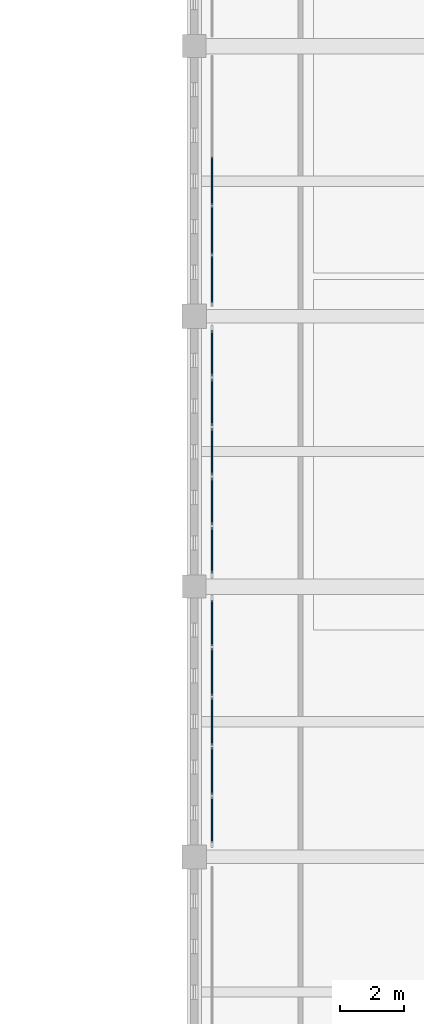
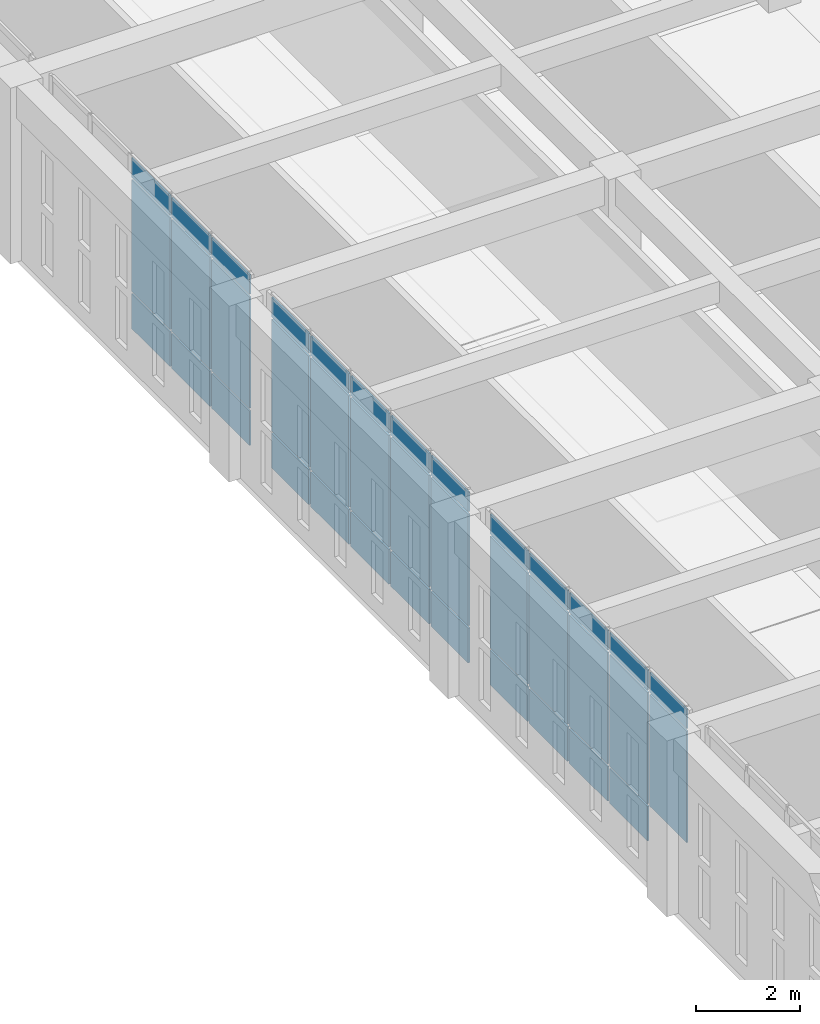
# One storey, part 120 of 192: 38 plates, 3 elements without a shape of their own.
"""IFC4 building model written with IfcOpenShell, lengths in metres."""

from ifc_helpers import new_model, si_unit, direction, frame, origin, origin_2d, place, context, subcontext, project, spatial, rectangle, extrude, material, layer, layer_set, type_object, element, aggregate, save


model = new_model("IFC4")

# Units and contexts
model_context = context("Model", 3, precision=1e-05, world=origin(), true_north=direction((0.0, 1.0)))
body_context = subcontext(model_context, "Body", "Model", "MODEL_VIEW")
ifc_project = project(units=[si_unit("LENGTHUNIT", "METRE"), si_unit("AREAUNIT", "SQUARE_METRE"), si_unit("VOLUMEUNIT", "CUBIC_METRE"), si_unit("PLANEANGLEUNIT", "RADIAN"), si_unit("MASSUNIT", "GRAM", prefix="KILO")], contexts=[model_context])

# Site, building, storey
site_placement = place(None, origin())
site = spatial("IfcSite", under=ifc_project, at=site_placement, CompositionType="ELEMENT")
building_placement = place(site_placement, origin())
building = spatial("IfcBuilding", under=site, at=building_placement, Name="Kveldsbrygga Polytechnic", CompositionType="ELEMENT")
storey_placement = place(building_placement, frame((0.0, 0.0, 5.43994140625)))
storey = spatial("IfcBuildingStorey", under=building, at=storey_placement, Name="L01", CompositionType="ELEMENT", Elevation=5.43994140625)

# Curtain wall, plates
ifc_material_1 = material(Name="Anodised aluminium AW-6060", Category="aluminium")
ifc_layer_1 = layer(ifc_material_1, 0.18994140625)
ifc_layer_set_1 = layer_set([ifc_layer_1], Name="Anodised aluminium AW-6060")
curtain_wall_type_1 = type_object("IfcCurtainWallType", Name="CW-REFC-G", PredefinedType="USERDEFINED", material=ifc_layer_set_1)
curtain_wall_1_placement = place(storey_placement, origin())
curtain_wall_1 = element("IfcCurtainWall", 1, at=curtain_wall_1_placement, inside=storey, type_object=curtain_wall_type_1, Name="Curtain Wall CW-L01-Y-15-05", ObjectType="UNITISED CURTAIN WALL", PredefinedType="USERDEFINED")
ifc_material_2 = material(Name="Insulated triple low-E glass", Category="glass")
ifc_layer_2 = layer(ifc_material_2, 0.035888671875)
ifc_layer_set_2 = layer_set([ifc_layer_2], Name="Insulated triple low-E glass")
plate_type_1 = type_object("IfcPlateType", Name="CW-PAN-VIS36", PredefinedType="CURTAIN_PANEL", material=ifc_layer_set_2)
plate_1_placement = place(storey_placement, frame((126.550048828125, 43.148193359375, 0.93017578125), z_axis=(0.0, 0.0, 1.0), x_axis=(0.0, 1.0, 0.0)))
plate_1 = element("IfcPlate", 2, at=plate_1_placement, type_object=plate_type_1, Name="CW-07 panel 1.2", PredefinedType="CURTAIN_PANEL", context=body_context, shape_type="SweptSolid", body=[
    extrude(rectangle(XDim=1.426513671875, YDim=0.035888671875, at=origin_2d()), origin(), (0.0, 0.0, 1.0), 2.610107421875),
])
plate_2_placement = place(storey_placement, frame((126.550048828125, 43.148193359375, 3.60009765625), z_axis=(0.0, 0.0, 1.0), x_axis=(0.0, 1.0, 0.0)))
plate_2 = element("IfcPlate", 3, at=plate_2_placement, type_object=plate_type_1, Name="CW-07 panel 1.3", PredefinedType="CURTAIN_PANEL", context=body_context, shape_type="SweptSolid", body=[
    extrude(rectangle(XDim=1.426513671875, YDim=0.035888671875, at=origin_2d()), origin(), (0.0, 0.0, 1.0), 0.4599609375),
])
plate_3_placement = place(storey_placement, frame((126.550048828125, 44.66845703125, 0.06005859375), z_axis=(0.0, 0.0, 1.0), x_axis=(0.0, 1.0, 0.0)))
plate_3 = element("IfcPlate", 4, at=plate_3_placement, type_object=plate_type_1, Name="CW-07 panel 2.1", PredefinedType="CURTAIN_PANEL", context=body_context, shape_type="SweptSolid", body=[
    extrude(rectangle(XDim=1.464111328125, YDim=0.035888671875, at=origin_2d()), origin(), (0.0, 0.0, 1.0), 0.81005859375),
])
plate_4_placement = place(storey_placement, frame((126.550048828125, 44.66845703125, 0.93017578125), z_axis=(0.0, 0.0, 1.0), x_axis=(0.0, 1.0, 0.0)))
plate_4 = element("IfcPlate", 5, at=plate_4_placement, type_object=plate_type_1, Name="CW-07 panel 2.2", PredefinedType="CURTAIN_PANEL", context=body_context, shape_type="SweptSolid", body=[
    extrude(rectangle(XDim=1.464111328125, YDim=0.035888671875, at=origin_2d()), origin(), (0.0, 0.0, 1.0), 2.610107421875),
])
plate_5_placement = place(storey_placement, frame((126.550048828125, 44.66845703125, 3.60009765625), z_axis=(0.0, 0.0, 1.0), x_axis=(0.0, 1.0, 0.0)))
plate_5 = element("IfcPlate", 6, at=plate_5_placement, type_object=plate_type_1, Name="CW-07 panel 2.3", PredefinedType="CURTAIN_PANEL", context=body_context, shape_type="SweptSolid", body=[
    extrude(rectangle(XDim=1.464111328125, YDim=0.035888671875, at=origin_2d()), origin(), (0.0, 0.0, 1.0), 0.4599609375),
])
plate_6_placement = place(storey_placement, frame((126.550048828125, 46.20751953125, 0.06005859375), z_axis=(0.0, 0.0, 1.0), x_axis=(0.0, 1.0, 0.0)))
plate_6 = element("IfcPlate", 7, at=plate_6_placement, type_object=plate_type_1, Name="CW-07 panel 3.1", PredefinedType="CURTAIN_PANEL", context=body_context, shape_type="SweptSolid", body=[
    extrude(rectangle(XDim=1.464111328125, YDim=0.035888671875, at=origin_2d()), origin(), (0.0, 0.0, 1.0), 0.81005859375),
])
plate_7_placement = place(storey_placement, frame((126.550048828125, 46.20751953125, 0.93017578125), z_axis=(0.0, 0.0, 1.0), x_axis=(0.0, 1.0, 0.0)))
plate_7 = element("IfcPlate", 8, at=plate_7_placement, type_object=plate_type_1, Name="CW-07 panel 3.2", PredefinedType="CURTAIN_PANEL", context=body_context, shape_type="SweptSolid", body=[
    extrude(rectangle(XDim=1.464111328125, YDim=0.035888671875, at=origin_2d()), origin(), (0.0, 0.0, 1.0), 2.610107421875),
])
plate_8_placement = place(storey_placement, frame((126.550048828125, 46.20751953125, 3.60009765625), z_axis=(0.0, 0.0, 1.0), x_axis=(0.0, 1.0, 0.0)))
plate_8 = element("IfcPlate", 9, at=plate_8_placement, type_object=plate_type_1, Name="CW-07 panel 3.3", PredefinedType="CURTAIN_PANEL", context=body_context, shape_type="SweptSolid", body=[
    extrude(rectangle(XDim=1.464111328125, YDim=0.035888671875, at=origin_2d()), origin(), (0.0, 0.0, 1.0), 0.4599609375),
])
plate_9_placement = place(storey_placement, frame((126.550048828125, 47.74658203125, 0.06005859375), z_axis=(0.0, 0.0, 1.0), x_axis=(0.0, 1.0, 0.0)))
plate_9 = element("IfcPlate", 10, at=plate_9_placement, type_object=plate_type_1, Name="CW-07 panel 4.1", PredefinedType="CURTAIN_PANEL", context=body_context, shape_type="SweptSolid", body=[
    extrude(rectangle(XDim=1.464111328125, YDim=0.035888671875, at=origin_2d()), origin(), (0.0, 0.0, 1.0), 0.81005859375),
])
plate_10_placement = place(storey_placement, frame((126.550048828125, 47.74658203125, 0.93017578125), z_axis=(0.0, 0.0, 1.0), x_axis=(0.0, 1.0, 0.0)))
plate_10 = element("IfcPlate", 11, at=plate_10_placement, type_object=plate_type_1, Name="CW-07 panel 4.2", PredefinedType="CURTAIN_PANEL", context=body_context, shape_type="SweptSolid", body=[
    extrude(rectangle(XDim=1.464111328125, YDim=0.035888671875, at=origin_2d()), origin(), (0.0, 0.0, 1.0), 2.610107421875),
])
plate_11_placement = place(storey_placement, frame((126.550048828125, 47.74658203125, 3.60009765625), z_axis=(0.0, 0.0, 1.0), x_axis=(0.0, 1.0, 0.0)))
plate_11 = element("IfcPlate", 12, at=plate_11_placement, type_object=plate_type_1, Name="CW-07 panel 4.3", PredefinedType="CURTAIN_PANEL", context=body_context, shape_type="SweptSolid", body=[
    extrude(rectangle(XDim=1.464111328125, YDim=0.035888671875, at=origin_2d()), origin(), (0.0, 0.0, 1.0), 0.4599609375),
])
plate_12_placement = place(storey_placement, frame((126.550048828125, 49.266845703125, 0.06005859375), z_axis=(0.0, 0.0, 1.0), x_axis=(0.0, 1.0, 0.0)))
plate_12 = element("IfcPlate", 13, at=plate_12_placement, type_object=plate_type_1, Name="CW-07 panel 5.1", PredefinedType="CURTAIN_PANEL", context=body_context, shape_type="SweptSolid", body=[
    extrude(rectangle(XDim=1.426513671875, YDim=0.035888671875, at=origin_2d()), origin(), (0.0, 0.0, 1.0), 0.81005859375),
])
plate_13_placement = place(storey_placement, frame((126.550048828125, 49.266845703125, 0.93017578125), z_axis=(0.0, 0.0, 1.0), x_axis=(0.0, 1.0, 0.0)))
plate_13 = element("IfcPlate", 14, at=plate_13_placement, type_object=plate_type_1, Name="CW-07 panel 5.2", PredefinedType="CURTAIN_PANEL", context=body_context, shape_type="SweptSolid", body=[
    extrude(rectangle(XDim=1.426513671875, YDim=0.035888671875, at=origin_2d()), origin(), (0.0, 0.0, 1.0), 2.610107421875),
])
plate_14_placement = place(storey_placement, frame((126.550048828125, 49.266845703125, 3.60009765625), z_axis=(0.0, 0.0, 1.0), x_axis=(0.0, 1.0, 0.0)))
plate_14 = element("IfcPlate", 15, at=plate_14_placement, type_object=plate_type_1, Name="CW-07 panel 5.3", PredefinedType="CURTAIN_PANEL", context=body_context, shape_type="SweptSolid", body=[
    extrude(rectangle(XDim=1.426513671875, YDim=0.035888671875, at=origin_2d()), origin(), (0.0, 0.0, 1.0), 0.4599609375),
])
aggregate(curtain_wall_1, [plate_1, plate_2, plate_3, plate_4, plate_5, plate_6, plate_7, plate_8, plate_9, plate_10, plate_11, plate_12, plate_13, plate_14])

ifc_layer_3 = layer(ifc_material_1, 0.179931640625)
ifc_layer_set_3 = layer_set([ifc_layer_3], Name="Anodised aluminium AW-6060")
curtain_wall_type_2 = type_object("IfcCurtainWallType", Name="CW-CONC-A", PredefinedType="USERDEFINED", material=ifc_layer_set_3)
curtain_wall_2_placement = place(storey_placement, origin())
curtain_wall_2 = element("IfcCurtainWall", 16, at=curtain_wall_2_placement, inside=storey, type_object=curtain_wall_type_2, Name="Curtain Wall CW-L01-Y-15-07", ObjectType="UNITISED CURTAIN WALL", PredefinedType="USERDEFINED")
plate_15_placement = place(storey_placement, frame((126.550048828125, 59.944580078125, 0.06005859375), z_axis=(0.0, 0.0, 1.0), x_axis=(0.0, 1.0, 0.0)))
plate_15 = element("IfcPlate", 17, at=plate_15_placement, type_object=plate_type_1, Name="CW-01 panel 1.1", PredefinedType="CURTAIN_PANEL", context=body_context, shape_type="SweptSolid", body=[
    extrude(rectangle(XDim=1.448974609375, YDim=0.035888671875, at=origin_2d()), origin(), (0.0, 0.0, 1.0), 0.81005859375),
])
plate_16_placement = place(storey_placement, frame((126.550048828125, 59.944580078125, 0.93017578125), z_axis=(0.0, 0.0, 1.0), x_axis=(0.0, 1.0, 0.0)))
plate_16 = element("IfcPlate", 18, at=plate_16_placement, type_object=plate_type_1, Name="CW-01 panel 1.2", PredefinedType="CURTAIN_PANEL", context=body_context, shape_type="SweptSolid", body=[
    extrude(rectangle(XDim=1.448974609375, YDim=0.035888671875, at=origin_2d()), origin(), (0.0, 0.0, 1.0), 2.610107421875),
])
plate_17_placement = place(storey_placement, frame((126.550048828125, 59.944580078125, 3.60009765625), z_axis=(0.0, 0.0, 1.0), x_axis=(0.0, 1.0, 0.0)))
plate_17 = element("IfcPlate", 19, at=plate_17_placement, type_object=plate_type_1, Name="CW-01 panel 1.3", PredefinedType="CURTAIN_PANEL", context=body_context, shape_type="SweptSolid", body=[
    extrude(rectangle(XDim=1.448974609375, YDim=0.035888671875, at=origin_2d()), origin(), (0.0, 0.0, 1.0), 0.4599609375),
])
plate_18_placement = place(storey_placement, frame((126.550048828125, 61.468505859375, 0.06005859375), z_axis=(0.0, 0.0, 1.0), x_axis=(0.0, 1.0, 0.0)))
plate_18 = element("IfcPlate", 20, at=plate_18_placement, type_object=plate_type_1, Name="CW-01 panel 2.1", PredefinedType="CURTAIN_PANEL", context=body_context, shape_type="SweptSolid", body=[
    extrude(rectangle(XDim=1.47900390625, YDim=0.035888671875, at=origin_2d()), origin(), (0.0, 0.0, 1.0), 0.81005859375),
])
plate_19_placement = place(storey_placement, frame((126.550048828125, 61.468505859375, 0.93017578125), z_axis=(0.0, 0.0, 1.0), x_axis=(0.0, 1.0, 0.0)))
plate_19 = element("IfcPlate", 21, at=plate_19_placement, type_object=plate_type_1, Name="CW-01 panel 2.2", PredefinedType="CURTAIN_PANEL", context=body_context, shape_type="SweptSolid", body=[
    extrude(rectangle(XDim=1.47900390625, YDim=0.035888671875, at=origin_2d()), origin(), (0.0, 0.0, 1.0), 2.610107421875),
])
plate_20_placement = place(storey_placement, frame((126.550048828125, 61.468505859375, 3.60009765625), z_axis=(0.0, 0.0, 1.0), x_axis=(0.0, 1.0, 0.0)))
plate_20 = element("IfcPlate", 22, at=plate_20_placement, type_object=plate_type_1, Name="CW-01 panel 2.3", PredefinedType="CURTAIN_PANEL", context=body_context, shape_type="SweptSolid", body=[
    extrude(rectangle(XDim=1.47900390625, YDim=0.035888671875, at=origin_2d()), origin(), (0.0, 0.0, 1.0), 0.4599609375),
])
plate_21_placement = place(storey_placement, frame((126.550048828125, 63.007568359375, 0.06005859375), z_axis=(0.0, 0.0, 1.0), x_axis=(0.0, 1.0, 0.0)))
plate_21 = element("IfcPlate", 23, at=plate_21_placement, type_object=plate_type_1, Name="CW-01 panel 3.1", PredefinedType="CURTAIN_PANEL", context=body_context, shape_type="SweptSolid", body=[
    extrude(rectangle(XDim=1.47900390625, YDim=0.035888671875, at=origin_2d()), origin(), (0.0, 0.0, 1.0), 0.81005859375),
])
plate_22_placement = place(storey_placement, frame((126.550048828125, 63.007568359375, 0.93017578125), z_axis=(0.0, 0.0, 1.0), x_axis=(0.0, 1.0, 0.0)))
plate_22 = element("IfcPlate", 24, at=plate_22_placement, type_object=plate_type_1, Name="CW-01 panel 3.2", PredefinedType="CURTAIN_PANEL", context=body_context, shape_type="SweptSolid", body=[
    extrude(rectangle(XDim=1.47900390625, YDim=0.035888671875, at=origin_2d()), origin(), (0.0, 0.0, 1.0), 2.610107421875),
])
plate_23_placement = place(storey_placement, frame((126.550048828125, 63.007568359375, 3.60009765625), z_axis=(0.0, 0.0, 1.0), x_axis=(0.0, 1.0, 0.0)))
plate_23 = element("IfcPlate", 25, at=plate_23_placement, type_object=plate_type_1, Name="CW-01 panel 3.3", PredefinedType="CURTAIN_PANEL", context=body_context, shape_type="SweptSolid", body=[
    extrude(rectangle(XDim=1.47900390625, YDim=0.035888671875, at=origin_2d()), origin(), (0.0, 0.0, 1.0), 0.4599609375),
])
aggregate(curtain_wall_2, [plate_15, plate_16, plate_17, plate_18, plate_19, plate_20, plate_21, plate_22, plate_23])

ifc_layer_4 = layer(ifc_material_1, 0.2099609375)
ifc_layer_set_4 = layer_set([ifc_layer_4], Name="Anodised aluminium AW-6060")
curtain_wall_type_3 = type_object("IfcCurtainWallType", Name="CW-LIBR-H", PredefinedType="USERDEFINED", material=ifc_layer_set_4)
curtain_wall_3_placement = place(storey_placement, origin())
curtain_wall_3 = element("IfcCurtainWall", 26, at=curtain_wall_3_placement, inside=storey, type_object=curtain_wall_type_3, Name="Curtain Wall CW-L01-Y-15-06", ObjectType="UNITISED CURTAIN WALL", PredefinedType="USERDEFINED")
ifc_layer_5 = layer(ifc_material_2, 0.0419921875)
ifc_layer_set_5 = layer_set([ifc_layer_5], Name="Insulated triple low-E glass")
plate_type_2 = type_object("IfcPlateType", Name="CW-PAN-VIS42", PredefinedType="CURTAIN_PANEL", material=ifc_layer_set_5)
plate_24_placement = place(storey_placement, frame((126.550048828125, 51.533203125, 0.06005859375), z_axis=(0.0, 0.0, 1.0), x_axis=(0.0, 1.0, 0.0)))
plate_24 = element("IfcPlate", 27, at=plate_24_placement, type_object=plate_type_2, Name="CW-08 panel 1.1", PredefinedType="CURTAIN_PANEL", context=body_context, shape_type="SweptSolid", body=[
    extrude(rectangle(XDim=1.426513671875, YDim=0.0419921875, at=origin_2d()), origin(), (0.0, 0.0, 1.0), 0.81005859375),
])
plate_25_placement = place(storey_placement, frame((126.550048828125, 51.533203125, 0.93017578125), z_axis=(0.0, 0.0, 1.0), x_axis=(0.0, 1.0, 0.0)))
plate_25 = element("IfcPlate", 28, at=plate_25_placement, type_object=plate_type_2, Name="CW-08 panel 1.2", PredefinedType="CURTAIN_PANEL", context=body_context, shape_type="SweptSolid", body=[
    extrude(rectangle(XDim=1.426513671875, YDim=0.0419921875, at=origin_2d()), origin(), (0.0, 0.0, 1.0), 2.610107421875),
])
plate_26_placement = place(storey_placement, frame((126.550048828125, 51.533203125, 3.60009765625), z_axis=(0.0, 0.0, 1.0), x_axis=(0.0, 1.0, 0.0)))
plate_26 = element("IfcPlate", 29, at=plate_26_placement, type_object=plate_type_2, Name="CW-08 panel 1.3", PredefinedType="CURTAIN_PANEL", context=body_context, shape_type="SweptSolid", body=[
    extrude(rectangle(XDim=1.426513671875, YDim=0.0419921875, at=origin_2d()), origin(), (0.0, 0.0, 1.0), 0.4599609375),
])
plate_27_placement = place(storey_placement, frame((126.550048828125, 53.053466796875, 0.06005859375), z_axis=(0.0, 0.0, 1.0), x_axis=(0.0, 1.0, 0.0)))
plate_27 = element("IfcPlate", 30, at=plate_27_placement, type_object=plate_type_2, Name="CW-08 panel 2.1", PredefinedType="CURTAIN_PANEL", context=body_context, shape_type="SweptSolid", body=[
    extrude(rectangle(XDim=1.464111328125, YDim=0.0419921875, at=origin_2d()), origin(), (0.0, 0.0, 1.0), 0.81005859375),
])
plate_28_placement = place(storey_placement, frame((126.550048828125, 53.053466796875, 0.93017578125), z_axis=(0.0, 0.0, 1.0), x_axis=(0.0, 1.0, 0.0)))
plate_28 = element("IfcPlate", 31, at=plate_28_placement, type_object=plate_type_2, Name="CW-08 panel 2.2", PredefinedType="CURTAIN_PANEL", context=body_context, shape_type="SweptSolid", body=[
    extrude(rectangle(XDim=1.464111328125, YDim=0.0419921875, at=origin_2d()), origin(), (0.0, 0.0, 1.0), 2.610107421875),
])
plate_29_placement = place(storey_placement, frame((126.550048828125, 53.053466796875, 3.60009765625), z_axis=(0.0, 0.0, 1.0), x_axis=(0.0, 1.0, 0.0)))
plate_29 = element("IfcPlate", 32, at=plate_29_placement, type_object=plate_type_2, Name="CW-08 panel 2.3", PredefinedType="CURTAIN_PANEL", context=body_context, shape_type="SweptSolid", body=[
    extrude(rectangle(XDim=1.464111328125, YDim=0.0419921875, at=origin_2d()), origin(), (0.0, 0.0, 1.0), 0.4599609375),
])
plate_30_placement = place(storey_placement, frame((126.550048828125, 54.592529296875, 0.06005859375), z_axis=(0.0, 0.0, 1.0), x_axis=(0.0, 1.0, 0.0)))
plate_30 = element("IfcPlate", 33, at=plate_30_placement, type_object=plate_type_2, Name="CW-08 panel 3.1", PredefinedType="CURTAIN_PANEL", context=body_context, shape_type="SweptSolid", body=[
    extrude(rectangle(XDim=1.464111328125, YDim=0.0419921875, at=origin_2d()), origin(), (0.0, 0.0, 1.0), 0.81005859375),
])
plate_31_placement = place(storey_placement, frame((126.550048828125, 54.592529296875, 0.93017578125), z_axis=(0.0, 0.0, 1.0), x_axis=(0.0, 1.0, 0.0)))
plate_31 = element("IfcPlate", 34, at=plate_31_placement, type_object=plate_type_2, Name="CW-08 panel 3.2", PredefinedType="CURTAIN_PANEL", context=body_context, shape_type="SweptSolid", body=[
    extrude(rectangle(XDim=1.464111328125, YDim=0.0419921875, at=origin_2d()), origin(), (0.0, 0.0, 1.0), 2.610107421875),
])
plate_32_placement = place(storey_placement, frame((126.550048828125, 54.592529296875, 3.60009765625), z_axis=(0.0, 0.0, 1.0), x_axis=(0.0, 1.0, 0.0)))
plate_32 = element("IfcPlate", 35, at=plate_32_placement, type_object=plate_type_2, Name="CW-08 panel 3.3", PredefinedType="CURTAIN_PANEL", context=body_context, shape_type="SweptSolid", body=[
    extrude(rectangle(XDim=1.464111328125, YDim=0.0419921875, at=origin_2d()), origin(), (0.0, 0.0, 1.0), 0.4599609375),
])
plate_33_placement = place(storey_placement, frame((126.550048828125, 56.131591796875, 0.06005859375), z_axis=(0.0, 0.0, 1.0), x_axis=(0.0, 1.0, 0.0)))
plate_33 = element("IfcPlate", 36, at=plate_33_placement, type_object=plate_type_2, Name="CW-08 panel 4.1", PredefinedType="CURTAIN_PANEL", context=body_context, shape_type="SweptSolid", body=[
    extrude(rectangle(XDim=1.464111328125, YDim=0.0419921875, at=origin_2d()), origin(), (0.0, 0.0, 1.0), 0.81005859375),
])
plate_34_placement = place(storey_placement, frame((126.550048828125, 56.131591796875, 0.93017578125), z_axis=(0.0, 0.0, 1.0), x_axis=(0.0, 1.0, 0.0)))
plate_34 = element("IfcPlate", 37, at=plate_34_placement, type_object=plate_type_2, Name="CW-08 panel 4.2", PredefinedType="CURTAIN_PANEL", context=body_context, shape_type="SweptSolid", body=[
    extrude(rectangle(XDim=1.464111328125, YDim=0.0419921875, at=origin_2d()), origin(), (0.0, 0.0, 1.0), 2.610107421875),
])
plate_35_placement = place(storey_placement, frame((126.550048828125, 56.131591796875, 3.60009765625), z_axis=(0.0, 0.0, 1.0), x_axis=(0.0, 1.0, 0.0)))
plate_35 = element("IfcPlate", 38, at=plate_35_placement, type_object=plate_type_2, Name="CW-08 panel 4.3", PredefinedType="CURTAIN_PANEL", context=body_context, shape_type="SweptSolid", body=[
    extrude(rectangle(XDim=1.464111328125, YDim=0.0419921875, at=origin_2d()), origin(), (0.0, 0.0, 1.0), 0.4599609375),
])
plate_36_placement = place(storey_placement, frame((126.550048828125, 57.65185546875, 0.06005859375), z_axis=(0.0, 0.0, 1.0), x_axis=(0.0, 1.0, 0.0)))
plate_36 = element("IfcPlate", 39, at=plate_36_placement, type_object=plate_type_2, Name="CW-08 panel 5.1", PredefinedType="CURTAIN_PANEL", context=body_context, shape_type="SweptSolid", body=[
    extrude(rectangle(XDim=1.426513671875, YDim=0.0419921875, at=origin_2d()), origin(), (0.0, 0.0, 1.0), 0.81005859375),
])
plate_37_placement = place(storey_placement, frame((126.550048828125, 57.65185546875, 0.93017578125), z_axis=(0.0, 0.0, 1.0), x_axis=(0.0, 1.0, 0.0)))
plate_37 = element("IfcPlate", 40, at=plate_37_placement, type_object=plate_type_2, Name="CW-08 panel 5.2", PredefinedType="CURTAIN_PANEL", context=body_context, shape_type="SweptSolid", body=[
    extrude(rectangle(XDim=1.426513671875, YDim=0.0419921875, at=origin_2d()), origin(), (0.0, 0.0, 1.0), 2.610107421875),
])
plate_38_placement = place(storey_placement, frame((126.550048828125, 57.65185546875, 3.60009765625), z_axis=(0.0, 0.0, 1.0), x_axis=(0.0, 1.0, 0.0)))
plate_38 = element("IfcPlate", 41, at=plate_38_placement, type_object=plate_type_2, Name="CW-08 panel 5.3", PredefinedType="CURTAIN_PANEL", context=body_context, shape_type="SweptSolid", body=[
    extrude(rectangle(XDim=1.426513671875, YDim=0.0419921875, at=origin_2d()), origin(), (0.0, 0.0, 1.0), 0.4599609375),
])
aggregate(curtain_wall_3, [plate_24, plate_25, plate_26, plate_27, plate_28, plate_29, plate_30, plate_31, plate_32, plate_33, plate_34, plate_35, plate_36, plate_37, plate_38])

save(model, "model.ifc")
